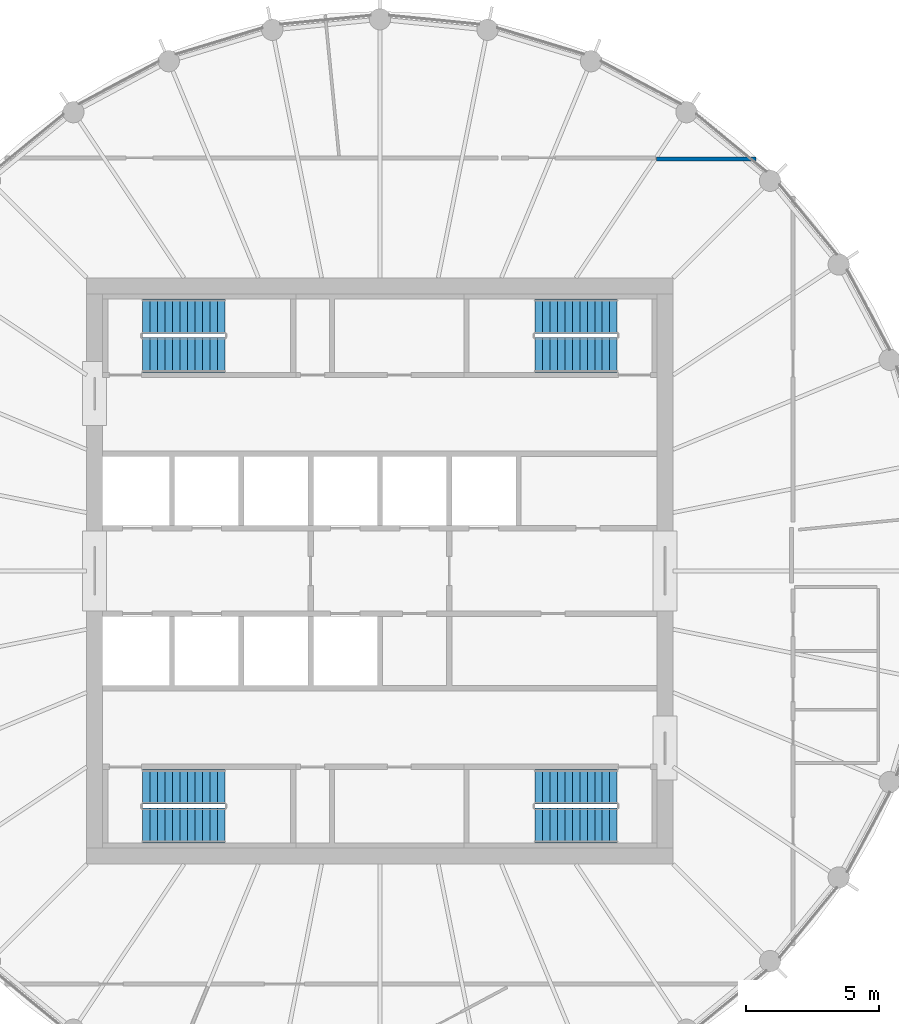
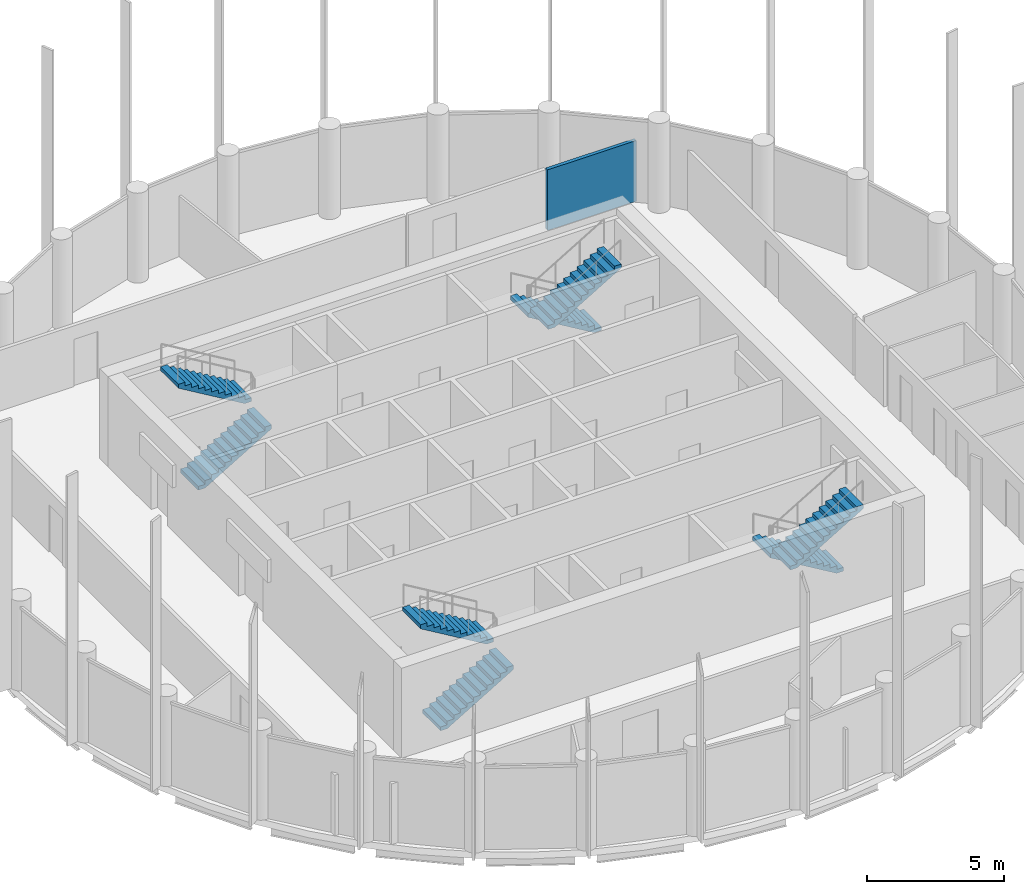
# One storey, part 6 of 7: 8 stair flights, 1 wall, 4 elements without a shape of their own.
"""IFC4 building model written with IfcOpenShell, lengths in metres."""

from ifc_helpers import new_model, si_unit, direction, frame, frame_2d, origin, place, context, subcontext, project, spatial, polyline, rectangle, outline, extrude, material, layer, layer_set, type_object, element, aggregate, save


model = new_model("IFC4")

# Units and contexts
model_context = context("Model", 3, precision=1e-05, world=origin(), true_north=direction((0.0, 1.0)))
body_context = subcontext(model_context, "Body", "Model", "MODEL_VIEW")
ifc_project = project(units=[si_unit("LENGTHUNIT", "METRE"), si_unit("AREAUNIT", "SQUARE_METRE"), si_unit("VOLUMEUNIT", "CUBIC_METRE"), si_unit("PLANEANGLEUNIT", "RADIAN"), si_unit("MASSUNIT", "GRAM", prefix="KILO")], contexts=[model_context])

# Site, building, storey
site_placement = place(None, origin())
site = spatial("IfcSite", under=ifc_project, at=site_placement, CompositionType="ELEMENT")
building_placement = place(site_placement, origin())
building = spatial("IfcBuilding", under=site, at=building_placement, Name="Corvane Civic Tower", CompositionType="ELEMENT")
storey_placement = place(building_placement, frame((0.0, 0.0, 356.5)))
storey = spatial("IfcBuildingStorey", under=building, at=storey_placement, Name="L85", CompositionType="ELEMENT", Elevation=356.5)

# Wall
ifc_material_1 = material(Name="Plasterboard")
ifc_layer = layer(ifc_material_1, 0.14990234375)
ifc_layer_set = layer_set([ifc_layer], Name="Plasterboard")
wall_type = type_object("IfcWallType", Name="Tenancy wall 150 EI 60", PredefinedType="PARTITIONING", material=ifc_layer_set)
wall_placement = place(storey_placement, frame((10.380859375, 15.449951171875, 0.0), z_axis=(0.0, 0.0, 1.0), x_axis=(1.0, 0.0, 0.0)))
element("IfcWall", 1, at=wall_placement, inside=storey, type_object=wall_type, Name="Partition L85.016", PredefinedType="PARTITIONING", context=body_context, shape_type="SweptSolid", body=[
    extrude(rectangle(XDim=3.7314453125, YDim=0.14990234375, at=frame_2d((1.86572265625, 0.0))), origin(), (0.0, 0.0, 1.0), 2.699951171875),
])

# Stair, stair flights
ifc_material_2 = material(Name="Concrete C40/50", Category="concrete")
stair_type = type_object("IfcStairType", Name="ST-STAIR-HALFTURN", PredefinedType="HALF_TURN_STAIR", material=ifc_material_2)
stair_1_placement = place(storey_placement, origin())
stair_1 = element("IfcStair", 2, at=stair_1_placement, inside=storey, type_object=stair_type, Name="L85 Exit stair ST1", PredefinedType="HALF_TURN_STAIR")
ifc_material_3 = material(Name="Concrete C40/50", Category="concrete")
stair_flight_type = type_object("IfcStairFlightType", Name="ST-FLIGHT-RC", PredefinedType="STRAIGHT", material=ifc_material_3)
stair_flight_1_placement = place(storey_placement, frame((8.89990234375, 9.550048828125, 0.0), z_axis=(0.0, 0.0, 1.0), x_axis=(-1.0, 0.0, 0.0)))
stair_flight_1 = element("IfcStairFlight", 3, at=stair_flight_1_placement, type_object=stair_flight_type, Name="ST1 flight 1", NumberOfRisers=12, NumberOfTreads=11, PredefinedType="STRAIGHT", RiserHeight=0.166666667, TreadLength=0.28, context=body_context, shape_type="SweptSolid", body=[
    extrude(outline(polyline([(0.0, 0.0), (0.0, 0.166748046875), (0.280029296875, 0.166748046875), (0.280029296875, 0.333251953125), (0.56005859375, 0.333251953125), (0.56005859375, 0.5), (0.840087890625, 0.5), (0.840087890625, 0.666748046875), (1.1201171875, 0.666748046875), (1.1201171875, 0.833251953125), (1.39990234375, 0.833251953125), (1.39990234375, 1.0), (1.679931640625, 1.0), (1.679931640625, 1.166748046875), (1.9599609375, 1.166748046875), (1.9599609375, 1.333251953125), (2.239990234375, 1.333251953125), (2.239990234375, 1.5), (2.52001953125, 1.5), (2.52001953125, 1.666748046875), (2.800048828125, 1.666748046875), (2.800048828125, 1.833251953125), (3.080078125, 1.833251953125), (3.080078125, 2.0), (3.080078125, 1.658935546875), (0.29296875, 0.0), (0.0, 0.0)])), frame((0.0, 0.64990234375, 0.0), z_axis=(0.0, -1.0, 0.0), x_axis=(1.0, 0.0, 0.0)), (0.0, 0.0, 1.0), 1.300048828125),
])
stair_flight_2_placement = place(storey_placement, frame((5.820068359375, 8.10009765625, 2.0), z_axis=(0.0, 0.0, 1.0), x_axis=(1.0, 0.0, 0.0)))
stair_flight_2 = element("IfcStairFlight", 4, at=stair_flight_2_placement, type_object=stair_flight_type, Name="ST1 flight 2", NumberOfRisers=12, NumberOfTreads=11, PredefinedType="STRAIGHT", RiserHeight=0.166666667, TreadLength=0.28, context=body_context, shape_type="SweptSolid", body=[
    extrude(outline(polyline([(0.0, 0.0), (0.0, 0.166748046875), (0.280029296875, 0.166748046875), (0.280029296875, 0.333251953125), (0.56005859375, 0.333251953125), (0.56005859375, 0.5), (0.840087890625, 0.5), (0.840087890625, 0.666748046875), (1.1201171875, 0.666748046875), (1.1201171875, 0.833251953125), (1.39990234375, 0.833251953125), (1.39990234375, 1.0), (1.679931640625, 1.0), (1.679931640625, 1.166748046875), (1.9599609375, 1.166748046875), (1.9599609375, 1.333251953125), (2.239990234375, 1.333251953125), (2.239990234375, 1.5), (2.52001953125, 1.5), (2.52001953125, 1.666748046875), (2.800048828125, 1.666748046875), (2.800048828125, 1.833251953125), (3.080078125, 1.833251953125), (3.080078125, 2.0), (3.080078125, 1.658935546875), (0.29296875, 0.0), (0.0, 0.0)])), frame((0.0, 0.64990234375, 0.0), z_axis=(0.0, -1.0, 0.0), x_axis=(1.0, 0.0, 0.0)), (0.0, 0.0, 1.0), 1.300048828125),
])
aggregate(stair_1, [stair_flight_1, stair_flight_2])

stair_2_placement = place(storey_placement, origin())
stair_2 = element("IfcStair", 5, at=stair_2_placement, inside=storey, type_object=stair_type, Name="L85 Exit stair ST2", PredefinedType="HALF_TURN_STAIR")
stair_flight_3_placement = place(storey_placement, frame((8.89990234375, -8.10009765625, 0.0), z_axis=(0.0, 0.0, 1.0), x_axis=(-1.0, 0.0, 0.0)))
stair_flight_3 = element("IfcStairFlight", 6, at=stair_flight_3_placement, type_object=stair_flight_type, Name="ST2 flight 1", NumberOfRisers=12, NumberOfTreads=11, PredefinedType="STRAIGHT", RiserHeight=0.166666667, TreadLength=0.28, context=body_context, shape_type="SweptSolid", body=[
    extrude(outline(polyline([(0.0, 0.0), (0.0, 0.166748046875), (0.280029296875, 0.166748046875), (0.280029296875, 0.333251953125), (0.56005859375, 0.333251953125), (0.56005859375, 0.5), (0.840087890625, 0.5), (0.840087890625, 0.666748046875), (1.1201171875, 0.666748046875), (1.1201171875, 0.833251953125), (1.39990234375, 0.833251953125), (1.39990234375, 1.0), (1.679931640625, 1.0), (1.679931640625, 1.166748046875), (1.9599609375, 1.166748046875), (1.9599609375, 1.333251953125), (2.239990234375, 1.333251953125), (2.239990234375, 1.5), (2.52001953125, 1.5), (2.52001953125, 1.666748046875), (2.800048828125, 1.666748046875), (2.800048828125, 1.833251953125), (3.080078125, 1.833251953125), (3.080078125, 2.0), (3.080078125, 1.658935546875), (0.29296875, 0.0), (0.0, 0.0)])), frame((0.0, 0.64990234375, 0.0), z_axis=(0.0, -1.0, 0.0), x_axis=(1.0, 0.0, 0.0)), (0.0, 0.0, 1.0), 1.300048828125),
])
stair_flight_4_placement = place(storey_placement, frame((5.820068359375, -9.550048828125, 2.0), z_axis=(0.0, 0.0, 1.0), x_axis=(1.0, 0.0, 0.0)))
stair_flight_4 = element("IfcStairFlight", 7, at=stair_flight_4_placement, type_object=stair_flight_type, Name="ST2 flight 2", NumberOfRisers=12, NumberOfTreads=11, PredefinedType="STRAIGHT", RiserHeight=0.166666667, TreadLength=0.28, context=body_context, shape_type="SweptSolid", body=[
    extrude(outline(polyline([(0.0, 0.0), (0.0, 0.166748046875), (0.280029296875, 0.166748046875), (0.280029296875, 0.333251953125), (0.56005859375, 0.333251953125), (0.56005859375, 0.5), (0.840087890625, 0.5), (0.840087890625, 0.666748046875), (1.1201171875, 0.666748046875), (1.1201171875, 0.833251953125), (1.39990234375, 0.833251953125), (1.39990234375, 1.0), (1.679931640625, 1.0), (1.679931640625, 1.166748046875), (1.9599609375, 1.166748046875), (1.9599609375, 1.333251953125), (2.239990234375, 1.333251953125), (2.239990234375, 1.5), (2.52001953125, 1.5), (2.52001953125, 1.666748046875), (2.800048828125, 1.666748046875), (2.800048828125, 1.833251953125), (3.080078125, 1.833251953125), (3.080078125, 2.0), (3.080078125, 1.658935546875), (0.29296875, 0.0), (0.0, 0.0)])), frame((0.0, 0.64990234375, 0.0), z_axis=(0.0, -1.0, 0.0), x_axis=(1.0, 0.0, 0.0)), (0.0, 0.0, 1.0), 1.300048828125),
])
aggregate(stair_2, [stair_flight_3, stair_flight_4])

stair_3_placement = place(storey_placement, origin())
stair_3 = element("IfcStair", 8, at=stair_3_placement, inside=storey, type_object=stair_type, Name="L85 Exit stair ST3", PredefinedType="HALF_TURN_STAIR")
stair_flight_5_placement = place(storey_placement, frame((-8.89990234375, -9.550048828125, 0.0), z_axis=(0.0, 0.0, 1.0), x_axis=(1.0, 0.0, 0.0)))
stair_flight_5 = element("IfcStairFlight", 9, at=stair_flight_5_placement, type_object=stair_flight_type, Name="ST3 flight 1", NumberOfRisers=12, NumberOfTreads=11, PredefinedType="STRAIGHT", RiserHeight=0.166666667, TreadLength=0.28, context=body_context, shape_type="SweptSolid", body=[
    extrude(outline(polyline([(0.0, 0.0), (0.0, 0.166748046875), (0.280029296875, 0.166748046875), (0.280029296875, 0.333251953125), (0.56005859375, 0.333251953125), (0.56005859375, 0.5), (0.840087890625, 0.5), (0.840087890625, 0.666748046875), (1.1201171875, 0.666748046875), (1.1201171875, 0.833251953125), (1.39990234375, 0.833251953125), (1.39990234375, 1.0), (1.679931640625, 1.0), (1.679931640625, 1.166748046875), (1.9599609375, 1.166748046875), (1.9599609375, 1.333251953125), (2.239990234375, 1.333251953125), (2.239990234375, 1.5), (2.52001953125, 1.5), (2.52001953125, 1.666748046875), (2.800048828125, 1.666748046875), (2.800048828125, 1.833251953125), (3.080078125, 1.833251953125), (3.080078125, 2.0), (3.080078125, 1.658935546875), (0.29296875, 0.0), (0.0, 0.0)])), frame((0.0, 0.64990234375, 0.0), z_axis=(0.0, -1.0, 0.0), x_axis=(1.0, 0.0, 0.0)), (0.0, 0.0, 1.0), 1.300048828125),
])
stair_flight_6_placement = place(storey_placement, frame((-5.820068359375, -8.10009765625, 2.0), z_axis=(0.0, 0.0, 1.0), x_axis=(-1.0, 0.0, 0.0)))
stair_flight_6 = element("IfcStairFlight", 10, at=stair_flight_6_placement, type_object=stair_flight_type, Name="ST3 flight 2", NumberOfRisers=12, NumberOfTreads=11, PredefinedType="STRAIGHT", RiserHeight=0.166666667, TreadLength=0.28, context=body_context, shape_type="SweptSolid", body=[
    extrude(outline(polyline([(0.0, 0.0), (0.0, 0.166748046875), (0.280029296875, 0.166748046875), (0.280029296875, 0.333251953125), (0.56005859375, 0.333251953125), (0.56005859375, 0.5), (0.840087890625, 0.5), (0.840087890625, 0.666748046875), (1.1201171875, 0.666748046875), (1.1201171875, 0.833251953125), (1.39990234375, 0.833251953125), (1.39990234375, 1.0), (1.679931640625, 1.0), (1.679931640625, 1.166748046875), (1.9599609375, 1.166748046875), (1.9599609375, 1.333251953125), (2.239990234375, 1.333251953125), (2.239990234375, 1.5), (2.52001953125, 1.5), (2.52001953125, 1.666748046875), (2.800048828125, 1.666748046875), (2.800048828125, 1.833251953125), (3.080078125, 1.833251953125), (3.080078125, 2.0), (3.080078125, 1.658935546875), (0.29296875, 0.0), (0.0, 0.0)])), frame((0.0, 0.64990234375, 0.0), z_axis=(0.0, -1.0, 0.0), x_axis=(1.0, 0.0, 0.0)), (0.0, 0.0, 1.0), 1.300048828125),
])
aggregate(stair_3, [stair_flight_5, stair_flight_6])

stair_4_placement = place(storey_placement, origin())
stair_4 = element("IfcStair", 11, at=stair_4_placement, inside=storey, type_object=stair_type, Name="L85 Exit stair ST4", PredefinedType="HALF_TURN_STAIR")
stair_flight_7_placement = place(storey_placement, frame((-8.89990234375, 8.10009765625, 0.0), z_axis=(0.0, 0.0, 1.0), x_axis=(1.0, 0.0, 0.0)))
stair_flight_7 = element("IfcStairFlight", 12, at=stair_flight_7_placement, type_object=stair_flight_type, Name="ST4 flight 1", NumberOfRisers=12, NumberOfTreads=11, PredefinedType="STRAIGHT", RiserHeight=0.166666667, TreadLength=0.28, context=body_context, shape_type="SweptSolid", body=[
    extrude(outline(polyline([(0.0, 0.0), (0.0, 0.166748046875), (0.280029296875, 0.166748046875), (0.280029296875, 0.333251953125), (0.56005859375, 0.333251953125), (0.56005859375, 0.5), (0.840087890625, 0.5), (0.840087890625, 0.666748046875), (1.1201171875, 0.666748046875), (1.1201171875, 0.833251953125), (1.39990234375, 0.833251953125), (1.39990234375, 1.0), (1.679931640625, 1.0), (1.679931640625, 1.166748046875), (1.9599609375, 1.166748046875), (1.9599609375, 1.333251953125), (2.239990234375, 1.333251953125), (2.239990234375, 1.5), (2.52001953125, 1.5), (2.52001953125, 1.666748046875), (2.800048828125, 1.666748046875), (2.800048828125, 1.833251953125), (3.080078125, 1.833251953125), (3.080078125, 2.0), (3.080078125, 1.658935546875), (0.29296875, 0.0), (0.0, 0.0)])), frame((0.0, 0.64990234375, 0.0), z_axis=(0.0, -1.0, 0.0), x_axis=(1.0, 0.0, 0.0)), (0.0, 0.0, 1.0), 1.300048828125),
])
stair_flight_8_placement = place(storey_placement, frame((-5.820068359375, 9.550048828125, 2.0), z_axis=(0.0, 0.0, 1.0), x_axis=(-1.0, 0.0, 0.0)))
stair_flight_8 = element("IfcStairFlight", 13, at=stair_flight_8_placement, type_object=stair_flight_type, Name="ST4 flight 2", NumberOfRisers=12, NumberOfTreads=11, PredefinedType="STRAIGHT", RiserHeight=0.166666667, TreadLength=0.28, context=body_context, shape_type="SweptSolid", body=[
    extrude(outline(polyline([(0.0, 0.0), (0.0, 0.166748046875), (0.280029296875, 0.166748046875), (0.280029296875, 0.333251953125), (0.56005859375, 0.333251953125), (0.56005859375, 0.5), (0.840087890625, 0.5), (0.840087890625, 0.666748046875), (1.1201171875, 0.666748046875), (1.1201171875, 0.833251953125), (1.39990234375, 0.833251953125), (1.39990234375, 1.0), (1.679931640625, 1.0), (1.679931640625, 1.166748046875), (1.9599609375, 1.166748046875), (1.9599609375, 1.333251953125), (2.239990234375, 1.333251953125), (2.239990234375, 1.5), (2.52001953125, 1.5), (2.52001953125, 1.666748046875), (2.800048828125, 1.666748046875), (2.800048828125, 1.833251953125), (3.080078125, 1.833251953125), (3.080078125, 2.0), (3.080078125, 1.658935546875), (0.29296875, 0.0), (0.0, 0.0)])), frame((0.0, 0.64990234375, 0.0), z_axis=(0.0, -1.0, 0.0), x_axis=(1.0, 0.0, 0.0)), (0.0, 0.0, 1.0), 1.300048828125),
])
aggregate(stair_4, [stair_flight_7, stair_flight_8])

save(model, "model.ifc")
